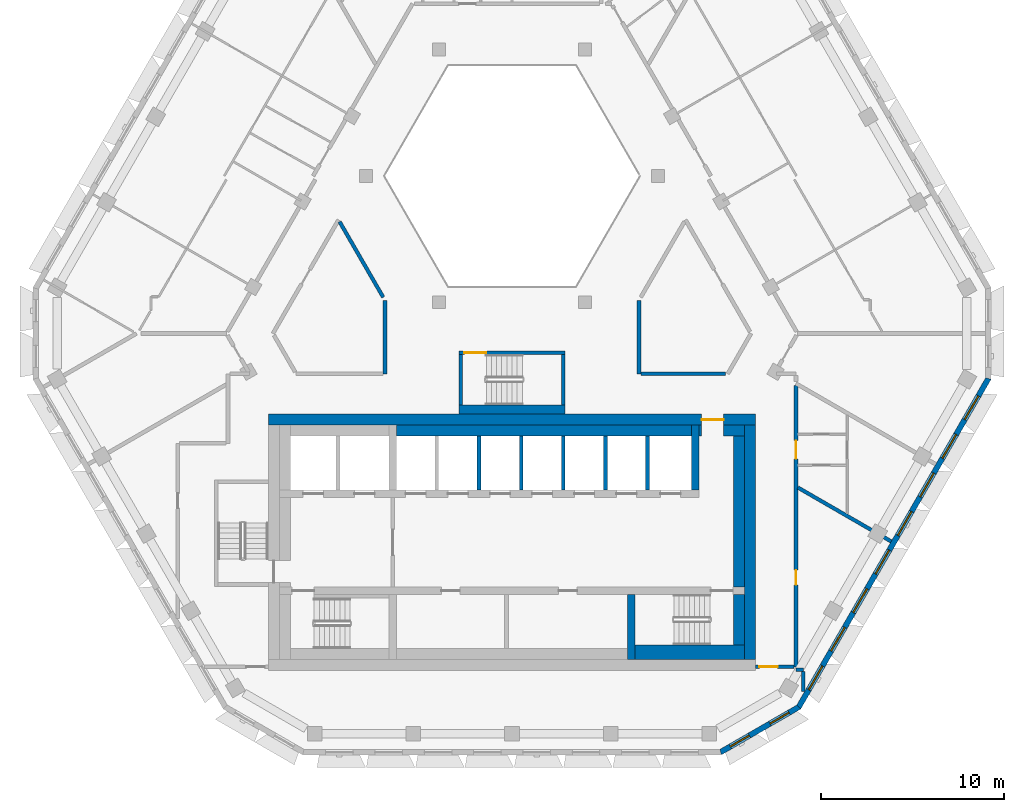
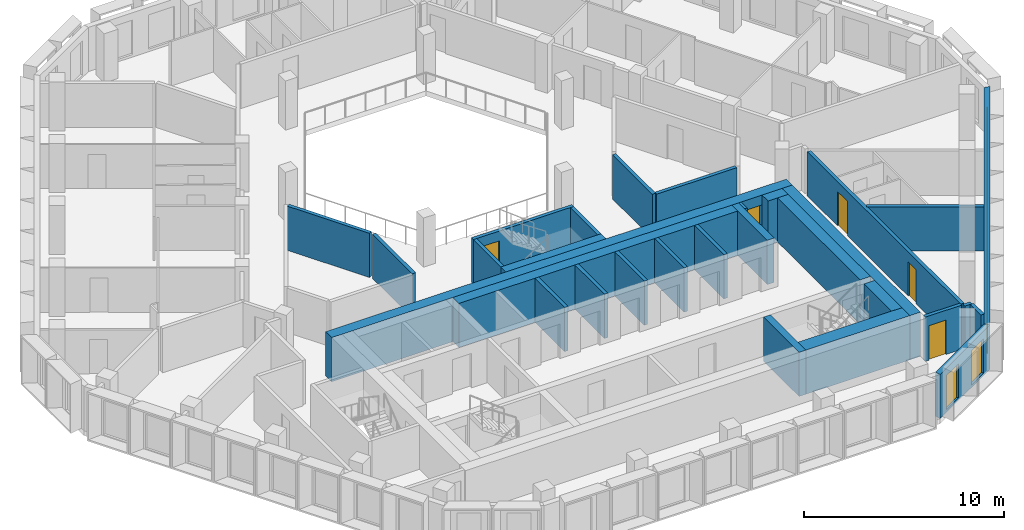
# One storey, part 5 of 17: 30 walls, 10 windows, 5 doors, 15 openings.
"""IFC4 building model written with IfcOpenShell, lengths in metres."""

from ifc_helpers import new_model, si_unit, direction, frame, frame_2d, origin, place, context, subcontext, project, spatial, polyline, rectangle, outline, extrude, material, layer, layer_set, type_object, element, fill, save


model = new_model("IFC4")

# Units and contexts
model_context = context("Model", 3, precision=1e-05, world=origin(), true_north=direction((0.0, 1.0)))
body_context = subcontext(model_context, "Body", "Model", "MODEL_VIEW")
ifc_project = project(units=[si_unit("LENGTHUNIT", "METRE"), si_unit("AREAUNIT", "SQUARE_METRE"), si_unit("VOLUMEUNIT", "CUBIC_METRE"), si_unit("PLANEANGLEUNIT", "RADIAN"), si_unit("MASSUNIT", "GRAM", prefix="KILO")], contexts=[model_context])

# Site, building, storey
site_placement = place(None, origin())
site = spatial("IfcSite", under=ifc_project, at=site_placement, CompositionType="ELEMENT")
building_placement = place(site_placement, origin())
building = spatial("IfcBuilding", under=site, at=building_placement, Name="Beryl Residences", CompositionType="ELEMENT")
storey_placement = place(building_placement, frame((0.0, 0.0, 178.199951171875)))
storey = spatial("IfcBuildingStorey", under=building, at=storey_placement, Name="L54", CompositionType="ELEMENT", Elevation=178.199951171875)

# Wall, openings, windows
ifc_material_1 = material(Name="Composite metal panel with mineral wool insulation")
ifc_layer_1 = layer(ifc_material_1, 0.300048828125)
ifc_layer_set_1 = layer_set([ifc_layer_1], Name="ES1 pale metal composite panel wall 300 mm")
wall_type_1 = type_object("IfcWallType", Name="ES1 pale metal composite panel wall 300 mm", PredefinedType="SOLIDWALL", material=ifc_layer_set_1)
wall_1_placement = place(storey_placement, frame((11.35595703125, -23.469970703125, 0.0), z_axis=(0.0, 0.0, 1.0), x_axis=(0.866022959057, 0.500004234368, 0.0)))
wall_1 = element("IfcWall", 1, at=wall_1_placement, inside=storey, type_object=wall_type_1, Name="ES1 external wall L54 S-SE", PredefinedType="SOLIDWALL", context=body_context, shape_type="SweptSolid", body=[
    extrude(outline(polyline([(0.0, -0.14990234375), (5.0, -0.14990234375), (4.919677734375, 0.14990234375), (0.080322265625, 0.14990234375), (0.0, -0.14990234375)])), origin(), (0.0, 0.0, 1.0), 2.699951171875),
])
opening_1_placement = place(wall_1_placement, frame((0.64990234375, 0.0, 0.14990234375)))
opening_1 = element("IfcOpeningElement", 2, at=opening_1_placement, cuts=wall_1, Name="Opening W2", PredefinedType="OPENING", context=body_context, shape_type="SweptSolid", body=[
    extrude(rectangle(XDim=1.199951171875, YDim=2.10009765625, at=frame_2d((0.60009765625, 1.050048828125))), frame((0.0, 0.159912109375, 0.0), z_axis=(0.0, -1.0, 0.0), x_axis=(1.0, 0.0, 0.0)), (0.0, 0.0, 1.0), 0.320068359375),
])
opening_2_placement = place(wall_1_placement, frame((3.14892578125, 0.0, 0.14990234375)))
opening_2 = element("IfcOpeningElement", 3, at=opening_2_placement, cuts=wall_1, Name="Opening W2", PredefinedType="OPENING", context=body_context, shape_type="SweptSolid", body=[
    extrude(rectangle(XDim=1.199951171875, YDim=2.10009765625, at=frame_2d((0.60009765625, 1.050048828125))), frame((0.0, 0.159912109375, 0.0), z_axis=(0.0, -1.0, 0.0), x_axis=(1.0, 0.0, 0.0)), (0.0, 0.0, 1.0), 0.320068359375),
])
ifc_material_2 = material(Name="Aluminium and clear glass", Category="aluminium")
window_type_1 = type_object("IfcWindowType", Name="W2 chamfer window 1200 x 2100 mm", PartitioningType="SINGLE_PANEL", PredefinedType="WINDOW", material=ifc_material_2)
window_1_placement = place(opening_1_placement, origin())
window_1 = element("IfcWindow", 4, at=window_1_placement, inside=storey, type_object=window_type_1, Name="W2 window L54 S-SE 1", OverallHeight=2.10009765625, OverallWidth=1.199951171875, PartitioningType="SINGLE_PANEL", PredefinedType="WINDOW", context=body_context, shape_type="SweptSolid", body=[
    extrude(rectangle(XDim=1.199951171875, YDim=2.10009765625, at=frame_2d((0.60009765625, 1.050048828125))), frame((0.0, 0.030029296875, 0.0), z_axis=(0.0, -1.0, 0.0), x_axis=(1.0, 0.0, 0.0)), (0.0, 0.0, 1.0), 0.06005859375),
])
fill(opening_1, window_1)
window_2_placement = place(opening_2_placement, origin())
window_2 = element("IfcWindow", 5, at=window_2_placement, inside=storey, type_object=window_type_1, Name="W2 window L54 S-SE 2", OverallHeight=2.10009765625, OverallWidth=1.199951171875, PartitioningType="SINGLE_PANEL", PredefinedType="WINDOW", context=body_context, shape_type="SweptSolid", body=[
    extrude(rectangle(XDim=1.199951171875, YDim=2.10009765625, at=frame_2d((0.60009765625, 1.050048828125))), frame((0.0, 0.030029296875, 0.0), z_axis=(0.0, -1.0, 0.0), x_axis=(1.0, 0.0, 0.0)), (0.0, 0.0, 1.0), 0.06005859375),
])
fill(opening_2, window_2)

wall_2_placement = place(storey_placement, frame((15.631103515625, -21.02490234375, 0.0), z_axis=(0.0, 0.0, 1.0), x_axis=(0.500018670445, 0.86601462413, 0.0)))
wall_2 = element("IfcWall", 6, at=wall_2_placement, inside=storey, type_object=wall_type_1, Name="ES1 external wall L54 SE", PredefinedType="SOLIDWALL", context=body_context, shape_type="SweptSolid", body=[
    extrude(outline(polyline([(0.0, -0.14990234375), (20.784912109375, -0.14990234375), (20.70458984375, 0.14990234375), (0.080322265625, 0.14990234375), (0.0, -0.14990234375)])), origin(), (0.0, 0.0, 1.0), 2.699951171875),
])
opening_3_placement = place(wall_2_placement, frame((1.1298828125, 0.0, 0.14990234375)))
opening_3 = element("IfcOpeningElement", 7, at=opening_3_placement, cuts=wall_2, Name="Opening W1", PredefinedType="OPENING", context=body_context, shape_type="SweptSolid", body=[
    extrude(rectangle(XDim=1.5, YDim=2.10009765625, at=frame_2d((0.75, 1.050048828125))), frame((0.0, 0.159912109375, 0.0), z_axis=(0.0, -1.0, 0.0), x_axis=(1.0, 0.0, 0.0)), (0.0, 0.0, 1.0), 0.320068359375),
])
opening_4_placement = place(wall_2_placement, frame((3.56201171875, 0.0, 0.14990234375)))
opening_4 = element("IfcOpeningElement", 8, at=opening_4_placement, cuts=wall_2, Name="Opening W1", PredefinedType="OPENING", context=body_context, shape_type="SweptSolid", body=[
    extrude(rectangle(XDim=1.5, YDim=2.10009765625, at=frame_2d((0.75, 1.050048828125))), frame((0.0, 0.159912109375, 0.0), z_axis=(0.0, -1.0, 0.0), x_axis=(1.0, 0.0, 0.0)), (0.0, 0.0, 1.0), 0.320068359375),
])
opening_5_placement = place(wall_2_placement, frame((5.993896484375, 0.0, 0.14990234375)))
opening_5 = element("IfcOpeningElement", 9, at=opening_5_placement, cuts=wall_2, Name="Opening W1", PredefinedType="OPENING", context=body_context, shape_type="SweptSolid", body=[
    extrude(rectangle(XDim=1.5, YDim=2.10009765625, at=frame_2d((0.75, 1.050048828125))), frame((0.0, 0.159912109375, 0.0), z_axis=(0.0, -1.0, 0.0), x_axis=(1.0, 0.0, 0.0)), (0.0, 0.0, 1.0), 0.320068359375),
])
opening_6_placement = place(wall_2_placement, frame((8.425048828125, 0.0, 0.14990234375)))
opening_6 = element("IfcOpeningElement", 10, at=opening_6_placement, cuts=wall_2, Name="Opening W1", PredefinedType="OPENING", context=body_context, shape_type="SweptSolid", body=[
    extrude(rectangle(XDim=1.5, YDim=2.10009765625, at=frame_2d((0.75, 1.050048828125))), frame((0.0, 0.159912109375, 0.0), z_axis=(0.0, -1.0, 0.0), x_axis=(1.0, 0.0, 0.0)), (0.0, 0.0, 1.0), 0.320068359375),
])
opening_7_placement = place(wall_2_placement, frame((10.85693359375, 0.0, 0.14990234375)))
opening_7 = element("IfcOpeningElement", 11, at=opening_7_placement, cuts=wall_2, Name="Opening W1", PredefinedType="OPENING", context=body_context, shape_type="SweptSolid", body=[
    extrude(rectangle(XDim=1.5, YDim=2.10009765625, at=frame_2d((0.75, 1.050048828125))), frame((0.0, 0.159912109375, 0.0), z_axis=(0.0, -1.0, 0.0), x_axis=(1.0, 0.0, 0.0)), (0.0, 0.0, 1.0), 0.320068359375),
])
opening_8_placement = place(wall_2_placement, frame((13.2890625, 0.0, 0.14990234375)))
opening_8 = element("IfcOpeningElement", 12, at=opening_8_placement, cuts=wall_2, Name="Opening W1", PredefinedType="OPENING", context=body_context, shape_type="SweptSolid", body=[
    extrude(rectangle(XDim=1.5, YDim=2.10009765625, at=frame_2d((0.75, 1.050048828125))), frame((0.0, 0.159912109375, 0.0), z_axis=(0.0, -1.0, 0.0), x_axis=(1.0, 0.0, 0.0)), (0.0, 0.0, 1.0), 0.320068359375),
])
opening_9_placement = place(wall_2_placement, frame((15.721923828125, 0.0, 0.14990234375)))
opening_9 = element("IfcOpeningElement", 13, at=opening_9_placement, cuts=wall_2, Name="Opening W1", PredefinedType="OPENING", context=body_context, shape_type="SweptSolid", body=[
    extrude(rectangle(XDim=1.5, YDim=2.10009765625, at=frame_2d((0.75, 1.050048828125))), frame((0.0, 0.159912109375, 0.0), z_axis=(0.0, -1.0, 0.0), x_axis=(1.0, 0.0, 0.0)), (0.0, 0.0, 1.0), 0.320068359375),
])
opening_10_placement = place(wall_2_placement, frame((18.154052734375, 0.0, 0.14990234375)))
opening_10 = element("IfcOpeningElement", 14, at=opening_10_placement, cuts=wall_2, Name="Opening W1", PredefinedType="OPENING", context=body_context, shape_type="SweptSolid", body=[
    extrude(rectangle(XDim=1.5, YDim=2.10009765625, at=frame_2d((0.75, 1.050048828125))), frame((0.0, 0.159912109375, 0.0), z_axis=(0.0, -1.0, 0.0), x_axis=(1.0, 0.0, 0.0)), (0.0, 0.0, 1.0), 0.320068359375),
])
ifc_material_3 = material(Name="Aluminium and clear glass", Category="aluminium")
window_type_2 = type_object("IfcWindowType", Name="W1 cell window 1500 x 2100 mm", PartitioningType="SINGLE_PANEL", PredefinedType="WINDOW", material=ifc_material_3)
window_3_placement = place(opening_3_placement, origin())
window_3 = element("IfcWindow", 15, at=window_3_placement, inside=storey, type_object=window_type_2, Name="W1 window L54 SE 1", OverallHeight=2.10009765625, OverallWidth=1.5, PartitioningType="SINGLE_PANEL", PredefinedType="WINDOW", context=body_context, shape_type="SweptSolid", body=[
    extrude(rectangle(XDim=1.5, YDim=2.10009765625, at=frame_2d((0.75, 1.050048828125))), frame((0.0, 0.030029296875, 0.0), z_axis=(0.0, -1.0, 0.0), x_axis=(1.0, 0.0, 0.0)), (0.0, 0.0, 1.0), 0.06005859375),
])
fill(opening_3, window_3)
window_4_placement = place(opening_4_placement, origin())
window_4 = element("IfcWindow", 16, at=window_4_placement, inside=storey, type_object=window_type_2, Name="W1 window L54 SE 2", OverallHeight=2.10009765625, OverallWidth=1.5, PartitioningType="SINGLE_PANEL", PredefinedType="WINDOW", context=body_context, shape_type="SweptSolid", body=[
    extrude(rectangle(XDim=1.5, YDim=2.10009765625, at=frame_2d((0.75, 1.050048828125))), frame((0.0, 0.030029296875, 0.0), z_axis=(0.0, -1.0, 0.0), x_axis=(1.0, 0.0, 0.0)), (0.0, 0.0, 1.0), 0.06005859375),
])
fill(opening_4, window_4)
window_5_placement = place(opening_5_placement, origin())
window_5 = element("IfcWindow", 17, at=window_5_placement, inside=storey, type_object=window_type_2, Name="W1 window L54 SE 3", OverallHeight=2.10009765625, OverallWidth=1.5, PartitioningType="SINGLE_PANEL", PredefinedType="WINDOW", context=body_context, shape_type="SweptSolid", body=[
    extrude(rectangle(XDim=1.5, YDim=2.10009765625, at=frame_2d((0.75, 1.050048828125))), frame((0.0, 0.030029296875, 0.0), z_axis=(0.0, -1.0, 0.0), x_axis=(1.0, 0.0, 0.0)), (0.0, 0.0, 1.0), 0.06005859375),
])
fill(opening_5, window_5)
window_6_placement = place(opening_6_placement, origin())
window_6 = element("IfcWindow", 18, at=window_6_placement, inside=storey, type_object=window_type_2, Name="W1 window L54 SE 4", OverallHeight=2.10009765625, OverallWidth=1.5, PartitioningType="SINGLE_PANEL", PredefinedType="WINDOW", context=body_context, shape_type="SweptSolid", body=[
    extrude(rectangle(XDim=1.5, YDim=2.10009765625, at=frame_2d((0.75, 1.050048828125))), frame((0.0, 0.030029296875, 0.0), z_axis=(0.0, -1.0, 0.0), x_axis=(1.0, 0.0, 0.0)), (0.0, 0.0, 1.0), 0.06005859375),
])
fill(opening_6, window_6)
window_7_placement = place(opening_7_placement, origin())
window_7 = element("IfcWindow", 19, at=window_7_placement, inside=storey, type_object=window_type_2, Name="W1 window L54 SE 5", OverallHeight=2.10009765625, OverallWidth=1.5, PartitioningType="SINGLE_PANEL", PredefinedType="WINDOW", context=body_context, shape_type="SweptSolid", body=[
    extrude(rectangle(XDim=1.5, YDim=2.10009765625, at=frame_2d((0.75, 1.050048828125))), frame((0.0, 0.030029296875, 0.0), z_axis=(0.0, -1.0, 0.0), x_axis=(1.0, 0.0, 0.0)), (0.0, 0.0, 1.0), 0.06005859375),
])
fill(opening_7, window_7)
window_8_placement = place(opening_8_placement, origin())
window_8 = element("IfcWindow", 20, at=window_8_placement, inside=storey, type_object=window_type_2, Name="W1 window L54 SE 6", OverallHeight=2.10009765625, OverallWidth=1.5, PartitioningType="SINGLE_PANEL", PredefinedType="WINDOW", context=body_context, shape_type="SweptSolid", body=[
    extrude(rectangle(XDim=1.5, YDim=2.10009765625, at=frame_2d((0.75, 1.050048828125))), frame((0.0, 0.030029296875, 0.0), z_axis=(0.0, -1.0, 0.0), x_axis=(1.0, 0.0, 0.0)), (0.0, 0.0, 1.0), 0.06005859375),
])
fill(opening_8, window_8)
window_9_placement = place(opening_9_placement, origin())
window_9 = element("IfcWindow", 21, at=window_9_placement, inside=storey, type_object=window_type_2, Name="W1 window L54 SE 7", OverallHeight=2.10009765625, OverallWidth=1.5, PartitioningType="SINGLE_PANEL", PredefinedType="WINDOW", context=body_context, shape_type="SweptSolid", body=[
    extrude(rectangle(XDim=1.5, YDim=2.10009765625, at=frame_2d((0.75, 1.050048828125))), frame((0.0, 0.030029296875, 0.0), z_axis=(0.0, -1.0, 0.0), x_axis=(1.0, 0.0, 0.0)), (0.0, 0.0, 1.0), 0.06005859375),
])
fill(opening_9, window_9)
window_10_placement = place(opening_10_placement, origin())
window_10 = element("IfcWindow", 22, at=window_10_placement, inside=storey, type_object=window_type_2, Name="W1 window L54 SE 8", OverallHeight=2.10009765625, OverallWidth=1.5, PartitioningType="SINGLE_PANEL", PredefinedType="WINDOW", context=body_context, shape_type="SweptSolid", body=[
    extrude(rectangle(XDim=1.5, YDim=2.10009765625, at=frame_2d((0.75, 1.050048828125))), frame((0.0, 0.030029296875, 0.0), z_axis=(0.0, -1.0, 0.0), x_axis=(1.0, 0.0, 0.0)), (0.0, 0.0, 1.0), 0.06005859375),
])
fill(opening_10, window_10)

# Walls
ifc_material_4 = material(Name="Concrete masonry", Category="masonry")
ifc_layer_2 = layer(ifc_material_4, 0.14990234375)
ifc_layer_set_2 = layer_set([ifc_layer_2], Name="PT13-150 lobby wall 150 mm")
wall_type_2 = type_object("IfcWallType", Name="PT13-150 lobby wall 150 mm", PredefinedType="PARTITIONING", material=ifc_layer_set_2)
wall_3_placement = place(storey_placement, frame((10.27490234375, -6.199951171875, 0.0), z_axis=(0.0, 0.0, 1.0), x_axis=(0.0, 1.0, 0.0)))
element("IfcWall", 23, at=wall_3_placement, inside=storey, type_object=wall_type_2, Name="Lobby wall 23", PredefinedType="PARTITIONING", context=body_context, shape_type="SweptSolid", body=[
    extrude(rectangle(XDim=0.599853515625, YDim=0.14990234375, at=frame_2d((0.2998046875, 0.0))), origin(), (0.0, 0.0, 1.0), 2.699951171875),
])
ifc_material_5 = material(Name="Concrete masonry", Category="masonry")
ifc_layer_3 = layer(ifc_material_5, 0.60009765625)
ifc_layer_set_3 = layer_set([ifc_layer_3], Name="PT13-600 lobby wall 600 mm")
wall_type_3 = type_object("IfcWallType", Name="PT13-600 lobby wall 600 mm", PredefinedType="PARTITIONING", material=ifc_layer_set_3)
wall_4_placement = place(storey_placement, frame((11.550048828125, -5.89990234375, 0.0), z_axis=(0.0, 0.0, 1.0), x_axis=(1.0, 0.0, 0.0)))
element("IfcWall", 24, at=wall_4_placement, inside=storey, type_object=wall_type_3, Name="Lobby wall 24", PredefinedType="PARTITIONING", context=body_context, shape_type="SweptSolid", body=[
    extrude(rectangle(XDim=1.14990234375, YDim=0.60009765625, at=frame_2d((0.574951171875, 0.0))), origin(), (0.0, 0.0, 1.0), 2.699951171875),
])
wall_5_placement = place(storey_placement, frame((12.39990234375, -14.449951171875, 0.0), z_axis=(0.0, 0.0, 1.0), x_axis=(0.0, 1.0, 0.0)))
element("IfcWall", 25, at=wall_5_placement, inside=storey, type_object=wall_type_3, Name="Lobby wall 26", PredefinedType="PARTITIONING", context=body_context, shape_type="SweptSolid", body=[
    extrude(rectangle(XDim=8.25, YDim=0.60009765625, at=frame_2d((4.125, 0.0))), origin(), (0.0, 0.0, 1.0), 2.699951171875),
])
ifc_material_6 = material(Name="Acoustic double stud gypsum board wall")
ifc_layer_4 = layer(ifc_material_6, 0.199951171875)
ifc_layer_set_4 = layer_set([ifc_layer_4], Name="PT3 party wall 200 mm acoustic double stud")
wall_type_4 = type_object("IfcWallType", Name="PT3 party wall 200 mm acoustic double stud", PredefinedType="PARTITIONING", material=ifc_layer_set_4)
wall_6_placement = place(storey_placement, frame((15.89990234375, -19.051025390625, 0.0), z_axis=(0.0, 0.0, 1.0), x_axis=(0.0, -1.0, 0.0)))
element("IfcWall", 26, at=wall_6_placement, inside=storey, type_object=wall_type_4, Name="Wall PT3 L54 003", PredefinedType="PARTITIONING", context=body_context, shape_type="SweptSolid", body=[
    extrude(rectangle(XDim=1.0869140625, YDim=0.199951171875, at=frame_2d((0.54345703125, 0.0))), origin(), (0.0, 0.0, 1.0), 2.699951171875),
])
wall_7_placement = place(storey_placement, frame((15.60009765625, -9.008056640625, 0.0), z_axis=(0.0, 0.0, 1.0), x_axis=(0.866013576751, -0.500020484464, 0.0)))
element("IfcWall", 27, at=wall_7_placement, inside=storey, type_object=wall_type_4, Name="Wall PT3 L54 004", PredefinedType="PARTITIONING", context=body_context, shape_type="SweptSolid", body=[
    extrude(rectangle(XDim=5.885498046875, YDim=0.199951171875, at=frame_2d((2.94287109375, 0.0))), origin(), (0.0, 0.0, 1.0), 2.699951171875),
])
wall_8_placement = place(storey_placement, frame((15.4990234375, -18.949951171875, 0.0), z_axis=(0.0, 0.0, 1.0), x_axis=(1.0, 0.0, 0.0)))
element("IfcWall", 28, at=wall_8_placement, inside=storey, type_object=wall_type_4, Name="Wall PT3 L54 015", PredefinedType="PARTITIONING", context=body_context, shape_type="SweptSolid", body=[
    extrude(rectangle(XDim=0.39990234375, YDim=0.199951171875, at=frame_2d((0.199951171875, 0.0))), origin(), (0.0, 0.0, 1.0), 2.699951171875),
])
ifc_material_7 = material(Name="Double stud gypsum board wall")
ifc_layer_5 = layer(ifc_material_7, 0.199951171875)
ifc_layer_set_5 = layer_set([ifc_layer_5], Name="PT4 corridor wall 200 mm double stud")
wall_type_5 = type_object("IfcWallType", Name="PT4 corridor wall 200 mm double stud", PredefinedType="PARTITIONING", material=ifc_layer_set_5)
wall_9_placement = place(storey_placement, frame((-9.410888671875, 5.5, 0.0), z_axis=(0.0, 0.0, 1.0), x_axis=(0.500018099276, -0.86601495391, 0.0)))
element("IfcWall", 29, at=wall_9_placement, inside=storey, type_object=wall_type_5, Name="Wall PT4 L54 001", PredefinedType="PARTITIONING", context=body_context, shape_type="SweptSolid", body=[
    extrude(rectangle(XDim=4.765380859375, YDim=0.199951171875, at=frame_2d((2.3828125, 0.0))), origin(), (0.0, 0.0, 1.0), 2.699951171875),
])

# Wall, opening, door
wall_10_placement = place(storey_placement, frame((13.300048828125, -18.800048828125, 0.0), z_axis=(0.0, 0.0, 1.0), x_axis=(1.0, 0.0, 0.0)))
wall_10 = element("IfcWall", 30, at=wall_10_placement, inside=storey, type_object=wall_type_5, Name="Wall PT4 L54 009", PredefinedType="PARTITIONING", context=body_context, shape_type="SweptSolid", body=[
    extrude(rectangle(XDim=2.098876953125, YDim=0.199951171875, at=frame_2d((1.04931640625, 0.0))), origin(), (0.0, 0.0, 1.0), 2.699951171875),
])
opening_11_placement = place(wall_10_placement, frame((0.199951171875, 0.0, 0.0)))
opening_11 = element("IfcOpeningElement", 31, at=opening_11_placement, cuts=wall_10, Name="Opening D1440", PredefinedType="OPENING", context=body_context, shape_type="SweptSolid", body=[
    extrude(rectangle(XDim=1.0, YDim=2.10009765625, at=frame_2d((0.5, 1.050048828125))), frame((0.0, 0.10986328125, 0.0), z_axis=(0.0, -1.0, 0.0), x_axis=(1.0, 0.0, 0.0)), (0.0, 0.0, 1.0), 0.219970703125),
])
ifc_material_8 = material(Name="Timber door leaf", Category="wood")
door_type_1 = type_object("IfcDoorType", Name="D1 flat entrance door 1000 x 2100 mm", OperationType="SINGLE_SWING_LEFT", PredefinedType="DOOR", material=ifc_material_8)
door_1_placement = place(opening_11_placement, origin())
door_1 = element("IfcDoor", 32, at=door_1_placement, inside=storey, type_object=door_type_1, Name="Door D1440 L54 001", OperationType="SINGLE_SWING_LEFT", OverallHeight=2.10009765625, OverallWidth=1.0, PredefinedType="DOOR", context=body_context, shape_type="SweptSolid", body=[
    extrude(rectangle(XDim=1.0, YDim=2.10009765625, at=frame_2d((0.5, 1.050048828125))), frame((0.0, 0.02490234375, 0.0), z_axis=(0.0, -1.0, 0.0), x_axis=(1.0, 0.0, 0.0)), (0.0, 0.0, 1.0), 0.050048828125),
])
fill(opening_11, door_1)

# Walls
wall_11_placement = place(storey_placement, frame((7.028076171875, -2.800048828125, 0.0), z_axis=(0.0, 0.0, 1.0), x_axis=(1.0, 0.0, 0.0)))
element("IfcWall", 33, at=wall_11_placement, inside=storey, type_object=wall_type_5, Name="Wall PT4 L54 012", PredefinedType="PARTITIONING", context=body_context, shape_type="SweptSolid", body=[
    extrude(rectangle(XDim=4.634033203125, YDim=0.199951171875, at=frame_2d((2.31689453125, 0.0))), origin(), (0.0, 0.0, 1.0), 2.699951171875),
])
wall_12_placement = place(storey_placement, frame((6.927978515625, -2.800048828125, 0.0), z_axis=(0.0, 0.0, 1.0), x_axis=(0.0, 1.0, 0.0)))
element("IfcWall", 34, at=wall_12_placement, inside=storey, type_object=wall_type_5, Name="Wall PT4 L54 022", PredefinedType="PARTITIONING", context=body_context, shape_type="SweptSolid", body=[
    extrude(rectangle(XDim=4.0, YDim=0.199951171875, at=frame_2d((2.0, 0.0))), origin(), (0.0, 0.0, 1.0), 2.699951171875),
])

# Wall, openings, doors
wall_13_placement = place(storey_placement, frame((15.5, -18.799072265625, 0.0), z_axis=(0.0, 0.0, 1.0), x_axis=(0.0, 1.0, 0.0)))
wall_13 = element("IfcWall", 35, at=wall_13_placement, inside=storey, type_object=wall_type_5, Name="Wall PT4 L54 023", PredefinedType="PARTITIONING", context=body_context, shape_type="SweptSolid", body=[
    extrude(rectangle(XDim=15.34912109375, YDim=0.199951171875, at=frame_2d((7.674560546875, 0.0))), origin(), (0.0, 0.0, 1.0), 2.699951171875),
])
opening_12_placement = place(wall_13_placement, frame((4.47705078125, 0.0, 0.0)))
opening_12 = element("IfcOpeningElement", 36, at=opening_12_placement, cuts=wall_13, Name="Opening D1420", PredefinedType="OPENING", context=body_context, shape_type="SweptSolid", body=[
    extrude(rectangle(XDim=0.800048828125, YDim=2.10009765625, at=frame_2d((0.39990234375, 1.050048828125))), frame((0.0, 0.10986328125, 0.0), z_axis=(0.0, -1.0, 0.0), x_axis=(1.0, 0.0, 0.0)), (0.0, 0.0, 1.0), 0.219970703125),
])
opening_13_placement = place(wall_13_placement, frame((11.347900390625, 0.0, 0.0)))
opening_13 = element("IfcOpeningElement", 37, at=opening_13_placement, cuts=wall_13, Name="Opening D1421", PredefinedType="OPENING", context=body_context, shape_type="SweptSolid", body=[
    extrude(rectangle(XDim=1.0, YDim=2.10009765625, at=frame_2d((0.5, 1.050048828125))), frame((0.0, 0.10986328125, 0.0), z_axis=(0.0, -1.0, 0.0), x_axis=(1.0, 0.0, 0.0)), (0.0, 0.0, 1.0), 0.219970703125),
])
door_2_placement = place(opening_13_placement, origin())
door_2 = element("IfcDoor", 38, at=door_2_placement, inside=storey, type_object=door_type_1, Name="Door D1421 L54 001", OperationType="SINGLE_SWING_LEFT", OverallHeight=2.10009765625, OverallWidth=1.0, PredefinedType="DOOR", context=body_context, shape_type="SweptSolid", body=[
    extrude(rectangle(XDim=1.0, YDim=2.10009765625, at=frame_2d((0.5, 1.050048828125))), frame((0.0, 0.02490234375, 0.0), z_axis=(0.0, -1.0, 0.0), x_axis=(1.0, 0.0, 0.0)), (0.0, 0.0, 1.0), 0.050048828125),
])
fill(opening_13, door_2)
ifc_material_9 = material(Name="Timber door leaf", Category="wood")
door_type_2 = type_object("IfcDoorType", Name="D3 bathroom door 800 x 2100 mm", OperationType="SINGLE_SWING_LEFT", PredefinedType="DOOR", material=ifc_material_9)
door_3_placement = place(opening_12_placement, origin())
door_3 = element("IfcDoor", 39, at=door_3_placement, inside=storey, type_object=door_type_2, Name="Door D1420 L54 001", OperationType="SINGLE_SWING_RIGHT", OverallHeight=2.10009765625, OverallWidth=0.800048828125, PredefinedType="DOOR", context=body_context, shape_type="SweptSolid", body=[
    extrude(rectangle(XDim=0.800048828125, YDim=2.10009765625, at=frame_2d((0.39990234375, 1.050048828125))), frame((0.0, 0.02490234375, 0.0), z_axis=(0.0, -1.0, 0.0), x_axis=(1.0, 0.0, 0.0)), (0.0, 0.0, 1.0), 0.050048828125),
])
fill(opening_12, door_3)

# Wall
wall_14_placement = place(storey_placement, frame((-6.927978515625, -2.800048828125, 0.0), z_axis=(0.0, 0.0, 1.0), x_axis=(0.0, 1.0, 0.0)))
element("IfcWall", 40, at=wall_14_placement, inside=storey, type_object=wall_type_5, Name="Wall PT4 L54 024", PredefinedType="PARTITIONING", context=body_context, shape_type="SweptSolid", body=[
    extrude(rectangle(XDim=4.0, YDim=0.199951171875, at=frame_2d((2.0, 0.0))), origin(), (0.0, 0.0, 1.0), 2.699951171875),
])

# Wall, opening, door
ifc_material_10 = material(Name="Concrete C40/50", Category="concrete")
ifc_layer_6 = layer(ifc_material_10, 0.199951171875)
ifc_layer_set_6 = layer_set([ifc_layer_6], Name="PT5 stair enclosure wall 200 mm reinforced concrete C40/50")
wall_type_6 = type_object("IfcWallType", Name="PT5 stair enclosure wall 200 mm reinforced concrete C40/50", PredefinedType="SOLIDWALL", material=ifc_layer_set_6)
wall_15_placement = place(storey_placement, frame((-2.89990234375, -1.64990234375, 0.0), z_axis=(0.0, 0.0, 1.0), x_axis=(1.0, 0.0, 0.0)))
wall_15 = element("IfcWall", 41, at=wall_15_placement, inside=storey, type_object=wall_type_6, Name="Wall PT5 L54 001", PredefinedType="SOLIDWALL", context=body_context, shape_type="SweptSolid", body=[
    extrude(rectangle(XDim=5.7998046875, YDim=0.199951171875, at=frame_2d((2.89990234375, 0.0))), origin(), (0.0, 0.0, 1.0), 2.699951171875),
])
opening_14_placement = place(wall_15_placement, frame((0.300048828125, 0.0, 0.0)))
opening_14 = element("IfcOpeningElement", 42, at=opening_14_placement, cuts=wall_15, Name="Opening DS04", PredefinedType="OPENING", context=body_context, shape_type="SweptSolid", body=[
    extrude(rectangle(XDim=1.199951171875, YDim=2.10009765625, at=frame_2d((0.60009765625, 1.050048828125))), frame((0.0, 0.10986328125, 0.0), z_axis=(0.0, -1.0, 0.0), x_axis=(1.0, 0.0, 0.0)), (0.0, 0.0, 1.0), 0.219970703125),
])
ifc_material_11 = material(Name="Steel door leaf in steel frame", Category="steel")
door_type_3 = type_object("IfcDoorType", Name="D4 stair door 1200 x 2100 mm", OperationType="SINGLE_SWING_LEFT", PredefinedType="DOOR", material=ifc_material_11)
door_4_placement = place(opening_14_placement, origin())
door_4 = element("IfcDoor", 43, at=door_4_placement, inside=storey, type_object=door_type_3, Name="Door DS04 L54 001", OperationType="SINGLE_SWING_LEFT", OverallHeight=2.10009765625, OverallWidth=1.199951171875, PredefinedType="DOOR", context=body_context, shape_type="SweptSolid", body=[
    extrude(rectangle(XDim=1.199951171875, YDim=2.10009765625, at=frame_2d((0.60009765625, 1.050048828125))), frame((0.0, 0.02490234375, 0.0), z_axis=(0.0, -1.0, 0.0), x_axis=(1.0, 0.0, 0.0)), (0.0, 0.0, 1.0), 0.050048828125),
])
fill(opening_14, door_4)

# Walls
for number, where, z_axis, x_axis, name in (
    (44, (-2.800048828125, -4.5, 0.0), (0.0, 0.0, 1.0), (0.0, 1.0, 0.0), "Wall PT5 L54 002"),
    (45, (2.800048828125, -4.5, 0.0), (0.0, 0.0, 1.0), (0.0, 1.0, 0.0), "Wall PT5 L54 003"),
):
    element("IfcWall", number, at=place(storey_placement, frame(where, z_axis=z_axis, x_axis=x_axis)), inside=storey, type_object=wall_type_6, Name=name, PredefinedType="SOLIDWALL", context=body_context, shape_type="SweptSolid", body=[
        extrude(rectangle(XDim=2.75, YDim=0.199951171875, at=frame_2d((1.375, 0.0))), origin(), (0.0, 0.0, 1.0), 2.699951171875),
    ])
ifc_material_12 = material(Name="Concrete C40/50", Category="concrete")
ifc_layer_7 = layer(ifc_material_12, 0.5)
ifc_layer_set_7 = layer_set([ifc_layer_7], Name="PT5-500 stair enclosure wall 500 mm")
wall_type_7 = type_object("IfcWallType", Name="PT5-500 stair enclosure wall 500 mm", PredefinedType="SOLIDWALL", material=ifc_layer_set_7)
wall_16_placement = place(storey_placement, frame((-2.89990234375, -4.75, 0.0), z_axis=(0.0, 0.0, 1.0), x_axis=(1.0, 0.0, 0.0)))
element("IfcWall", 46, at=wall_16_placement, inside=storey, type_object=wall_type_7, Name="Wall PT5-500 L54 001", PredefinedType="SOLIDWALL", context=body_context, shape_type="SweptSolid", body=[
    extrude(rectangle(XDim=5.7998046875, YDim=0.5, at=frame_2d((2.89990234375, 0.0))), origin(), (0.0, 0.0, 1.0), 2.699951171875),
])
ifc_material_13 = material(Name="Concrete C40/50", Category="concrete")
ifc_layer_8 = layer(ifc_material_13, 0.60009765625)
ifc_layer_set_8 = layer_set([ifc_layer_8], Name="PT5-600 stair enclosure wall 600 mm")
wall_type_8 = type_object("IfcWallType", Name="PT5-600 stair enclosure wall 600 mm", PredefinedType="SOLIDWALL", material=ifc_layer_set_8)
wall_17_placement = place(storey_placement, frame((12.39990234375, -17.60009765625, 0.0), z_axis=(0.0, 0.0, 1.0), x_axis=(0.0, 1.0, 0.0)))
element("IfcWall", 47, at=wall_17_placement, inside=storey, type_object=wall_type_8, Name="Stair wall 25", PredefinedType="SOLIDWALL", context=body_context, shape_type="SweptSolid", body=[
    extrude(rectangle(XDim=2.75, YDim=0.60009765625, at=frame_2d((1.375, 0.0))), origin(), (0.0, 0.0, 1.0), 2.699951171875),
])
ifc_material_14 = material(Name="Concrete C40/50", Category="concrete")
ifc_layer_9 = layer(ifc_material_14, 0.800048828125)
ifc_layer_set_9 = layer_set([ifc_layer_9], Name="PT5-800 stair enclosure wall 800 mm")
wall_type_9 = type_object("IfcWallType", Name="PT5-800 stair enclosure wall 800 mm", PredefinedType="SOLIDWALL", material=ifc_layer_set_9)
wall_18_placement = place(storey_placement, frame((6.699951171875, -18.0, 0.0), z_axis=(0.0, 0.0, 1.0), x_axis=(1.0, 0.0, 0.0)))
element("IfcWall", 48, at=wall_18_placement, inside=storey, type_object=wall_type_9, Name="Stair wall 21", PredefinedType="SOLIDWALL", context=body_context, shape_type="SweptSolid", body=[
    extrude(rectangle(XDim=6.0, YDim=0.800048828125, at=frame_2d((3.0, 0.0))), origin(), (0.0, 0.0, 1.0), 2.699951171875),
])
ifc_material_15 = material(Name="Concrete C40/50", Category="concrete")
ifc_layer_10 = layer(ifc_material_15, 0.199951171875)
ifc_layer_set_10 = layer_set([ifc_layer_10], Name="PT6 lift shaft wall 200 mm reinforced concrete C40/50")
wall_type_10 = type_object("IfcWallType", Name="PT6 lift shaft wall 200 mm reinforced concrete C40/50", PredefinedType="SOLIDWALL", material=ifc_layer_set_10)
for number, where, z_axis, x_axis, name in (
    (49, (-1.800048828125, -9.14990234375, 0.0), (0.0, 0.0, 1.0), (0.0, 1.0, 0.0), "Lift shaft wall 16"),
    (50, (0.5, -9.14990234375, 0.0), (0.0, 0.0, 1.0), (0.0, 1.0, 0.0), "Lift shaft wall 18"),
    (51, (2.800048828125, -9.14990234375, 0.0), (0.0, 0.0, 1.0), (0.0, 1.0, 0.0), "Lift shaft wall 19"),
    (52, (5.10009765625, -9.14990234375, 0.0), (0.0, 0.0, 1.0), (0.0, 1.0, 0.0), "Lift shaft wall 20"),
    (53, (7.39990234375, -9.14990234375, 0.0), (0.0, 0.0, 1.0), (0.0, 1.0, 0.0), "Lift shaft wall 22"),
):
    element("IfcWall", number, at=place(storey_placement, frame(where, z_axis=z_axis, x_axis=x_axis)), inside=storey, type_object=wall_type_10, Name=name, PredefinedType="SOLIDWALL", context=body_context, shape_type="SweptSolid", body=[
        extrude(rectangle(XDim=2.949951171875, YDim=0.199951171875, at=frame_2d((1.47509765625, 0.0))), origin(), (0.0, 0.0, 1.0), 2.699951171875),
    ])
ifc_material_16 = material(Name="Concrete C40/50", Category="concrete")
ifc_layer_11 = layer(ifc_material_16, 0.60009765625)
ifc_layer_set_11 = layer_set([ifc_layer_11], Name="PT6-600 lift shaft wall 600 mm")
wall_type_11 = type_object("IfcWallType", Name="PT6-600 lift shaft wall 600 mm", PredefinedType="SOLIDWALL", material=ifc_layer_set_11)
wall_19_placement = place(storey_placement, frame((-6.300048828125, -5.89990234375, 0.0), z_axis=(0.0, 0.0, 1.0), x_axis=(1.0, 0.0, 0.0)))
element("IfcWall", 54, at=wall_19_placement, inside=storey, type_object=wall_type_11, Name="Lift shaft wall 14", PredefinedType="SOLIDWALL", context=body_context, shape_type="SweptSolid", body=[
    extrude(rectangle(XDim=16.10009765625, YDim=0.60009765625, at=frame_2d((8.050048828125, 0.0))), origin(), (0.0, 0.0, 1.0), 2.699951171875),
])

# Wall, opening, door
ifc_material_17 = material(Name="Concrete C50/60", Category="concrete")
ifc_layer_12 = layer(ifc_material_17, 0.60009765625)
ifc_layer_set_12 = layer_set([ifc_layer_12], Name="SW4 core outer wall 600 mm C50/60")
wall_type_12 = type_object("IfcWallType", Name="SW4 core outer wall 600 mm C50/60", PredefinedType="SHEAR", material=ifc_layer_set_12)
wall_20_placement = place(storey_placement, frame((-13.300048828125, -5.300048828125, 0.0), z_axis=(0.0, 0.0, 1.0), x_axis=(1.0, 0.0, 0.0)))
wall_20 = element("IfcWall", 55, at=wall_20_placement, inside=storey, type_object=wall_type_12, Name="Core wall N L54", PredefinedType="SHEAR", context=body_context, shape_type="SweptSolid", body=[
    extrude(rectangle(XDim=26.60009765625, YDim=0.60009765625, at=frame_2d((13.300048828125, 0.0))), origin(), (0.0, 0.0, 1.0), 2.699951171875),
])
opening_15_placement = place(wall_20_placement, frame((23.64990234375, 0.0, 0.0)))
opening_15 = element("IfcOpeningElement", 56, at=opening_15_placement, cuts=wall_20, Name="Opening FD-NORTH", PredefinedType="OPENING", context=body_context, shape_type="SweptSolid", body=[
    extrude(rectangle(XDim=1.199951171875, YDim=2.10009765625, at=frame_2d((0.60009765625, 1.050048828125))), frame((0.0, 0.31005859375, 0.0), z_axis=(0.0, -1.0, 0.0), x_axis=(1.0, 0.0, 0.0)), (0.0, 0.0, 1.0), 0.6201171875),
])
ifc_material_18 = material(Name="Steel door leaf in steel frame", Category="steel")
door_type_4 = type_object("IfcDoorType", Name="D22 lobby door 1200 x 2100 mm", OperationType="DOUBLE_DOOR_SINGLE_SWING", PredefinedType="DOOR", material=ifc_material_18)
door_5_placement = place(opening_15_placement, origin())
door_5 = element("IfcDoor", 57, at=door_5_placement, inside=storey, type_object=door_type_4, Name="Door FD-NORTH L54 001", OperationType="DOUBLE_DOOR_SINGLE_SWING", OverallHeight=2.10009765625, OverallWidth=1.199951171875, PredefinedType="DOOR", context=body_context, shape_type="SweptSolid", body=[
    extrude(rectangle(XDim=1.199951171875, YDim=2.10009765625, at=frame_2d((0.60009765625, 1.050048828125))), frame((0.0, 0.02490234375, 0.0), z_axis=(0.0, -1.0, 0.0), x_axis=(1.0, 0.0, 0.0)), (0.0, 0.0, 1.0), 0.050048828125),
])
fill(opening_15, door_5)

# Walls
wall_21_placement = place(storey_placement, frame((13.0, -18.39990234375, 0.0), z_axis=(0.0, 0.0, 1.0), x_axis=(0.0, 1.0, 0.0)))
element("IfcWall", 58, at=wall_21_placement, inside=storey, type_object=wall_type_12, Name="Core wall E L54", PredefinedType="SHEAR", context=body_context, shape_type="SweptSolid", body=[
    extrude(rectangle(XDim=12.7998046875, YDim=0.60009765625, at=frame_2d((6.39990234375, 0.0))), origin(), (0.0, 0.0, 1.0), 2.699951171875),
])
ifc_material_19 = material(Name="Concrete C50/60", Category="concrete")
ifc_layer_13 = layer(ifc_material_19, 0.39990234375)
ifc_layer_set_13 = layer_set([ifc_layer_13], Name="SW9 core internal wall 400 mm C50/60")
wall_type_13 = type_object("IfcWallType", Name="SW9 core internal wall 400 mm C50/60", PredefinedType="SHEAR", material=ifc_layer_set_13)
for number, where, z_axis, x_axis, name in (
    (59, (6.5, -18.39990234375, 0.0), (0.0, 0.0, 1.0), (0.0, 1.0, 0.0), "Core wall XS2 L54"),
    (60, (10.0, -9.14990234375, 0.0), (0.0, 0.0, 1.0), (0.0, 1.0, 0.0), "Core wall XN2 L54"),
):
    element("IfcWall", number, at=place(storey_placement, frame(where, z_axis=z_axis, x_axis=x_axis)), inside=storey, type_object=wall_type_13, Name=name, PredefinedType="SHEAR", context=body_context, shape_type="SweptSolid", body=[
        extrude(rectangle(XDim=3.5498046875, YDim=0.39990234375, at=frame_2d((1.77490234375, 0.0))), origin(), (0.0, 0.0, 1.0), 2.699951171875),
    ])

save(model, "model.ifc")
